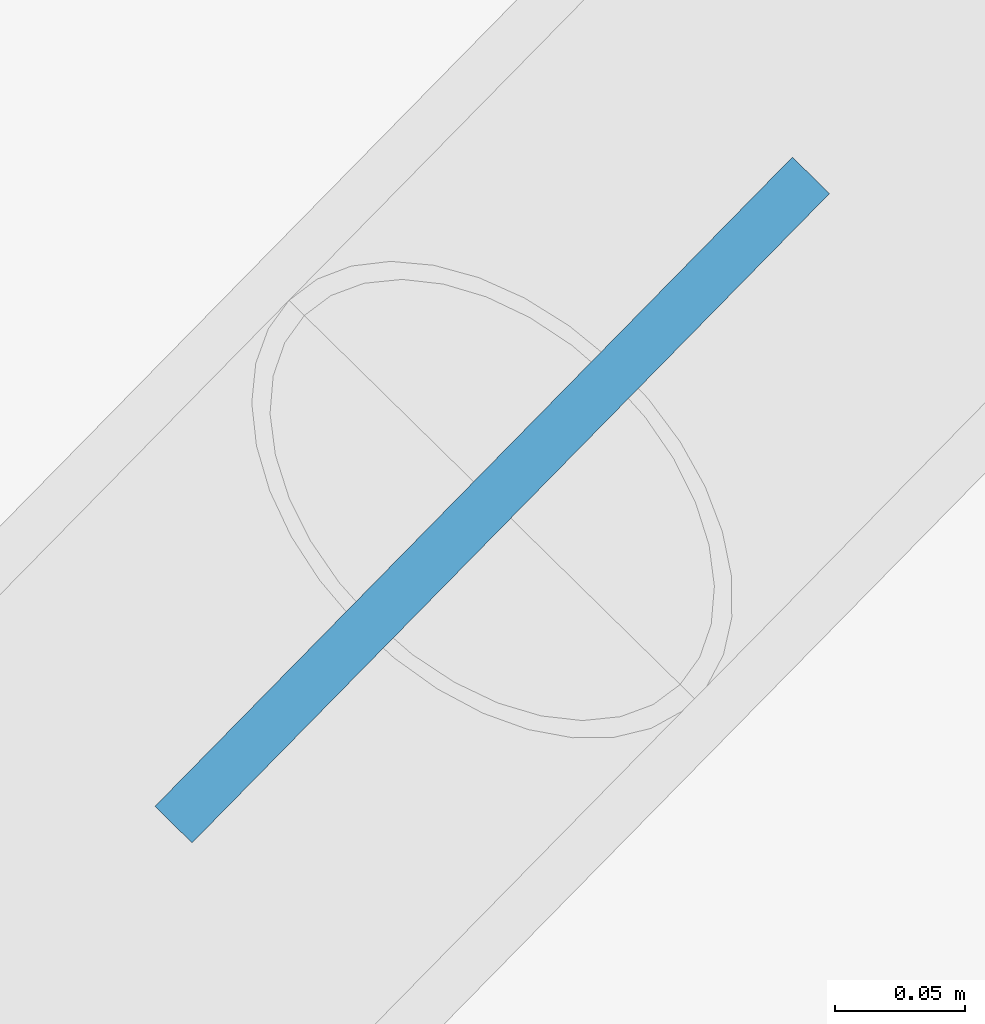
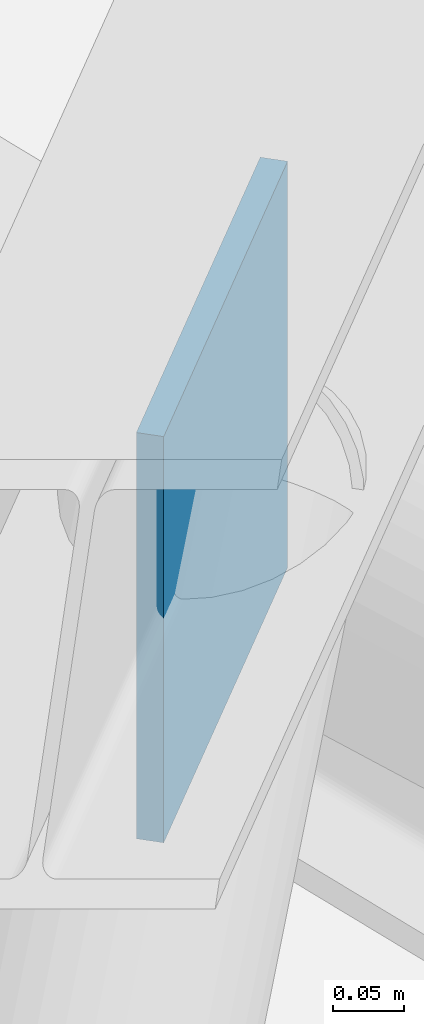
# One storey, part 31 of 42: 1 discrete accessory.
"""IFC4 building model written with IfcOpenShell, lengths in metres."""

from ifc_helpers import new_model, si_unit, direction, frame, origin, origin_2d, place, context, subcontext, project, spatial, rectangle, extrude, source, transform, mapped, material, layer, layer_set, type_object, element, save


model = new_model("IFC4")

# Units and contexts
model_context = context("Model", 3, precision=1e-05, world=origin(), true_north=direction((0.0, 1.0)))
body_context = subcontext(model_context, "Body", "Model", "MODEL_VIEW")
ifc_project = project(units=[si_unit("LENGTHUNIT", "METRE"), si_unit("AREAUNIT", "SQUARE_METRE"), si_unit("VOLUMEUNIT", "CUBIC_METRE"), si_unit("PLANEANGLEUNIT", "RADIAN"), si_unit("MASSUNIT", "GRAM", prefix="KILO")], contexts=[model_context])

# Site, building, storey
site_placement = place(None, origin())
site = spatial("IfcSite", under=ifc_project, at=site_placement, CompositionType="ELEMENT")
building_placement = place(site_placement, origin())
building = spatial("IfcBuilding", under=site, at=building_placement, Name="Spindrift Exchange Tower", CompositionType="ELEMENT")
storey_placement = place(building_placement, frame((0.0, 0.0, 75.39990234375)))
storey = spatial("IfcBuildingStorey", under=building, at=storey_placement, Name="L17", CompositionType="ELEMENT", Elevation=75.39990234375)

# Discrete accessory
ifc_material = material(Name="Steel Grade 350", Category="steel")
ifc_layer = layer(ifc_material, 0.02001953125)
ifc_layer_set = layer_set([ifc_layer], Name="Gusset plate 350x350x20 Steel Grade 350")
discrete_accessory_type = type_object("IfcDiscreteAccessoryType", Name="Gusset plate 350x350x20 Steel Grade 350", PredefinedType="USERDEFINED", material=ifc_layer_set)
shared_shape = source(origin(), body_context, "Body", "SweptSolid", [
    extrude(rectangle(XDim=0.35009765625, YDim=0.02001953125, at=origin_2d()), origin(), (0.0, 0.0, 1.0), 0.35009765625),
])
discrete_accessory_placement = place(storey_placement, frame((78.4306640625, 32.8974609375, 3.56494140625), z_axis=(0.0, 0.0, 1.0), x_axis=(0.700601719532, 0.713552542276, 0.0)))
element("IfcDiscreteAccessory", 1, at=discrete_accessory_placement, inside=storey, type_object=discrete_accessory_type, Name="L17 gusset plate GP2 22", ObjectType="Gusset plate", PredefinedType="USERDEFINED", context=body_context, shape_type="MappedRepresentation", body=[
    mapped(shared_shape, transform((0.0, 0.0, 0.0), scale=1.0)),
])

save(model, "model.ifc")
